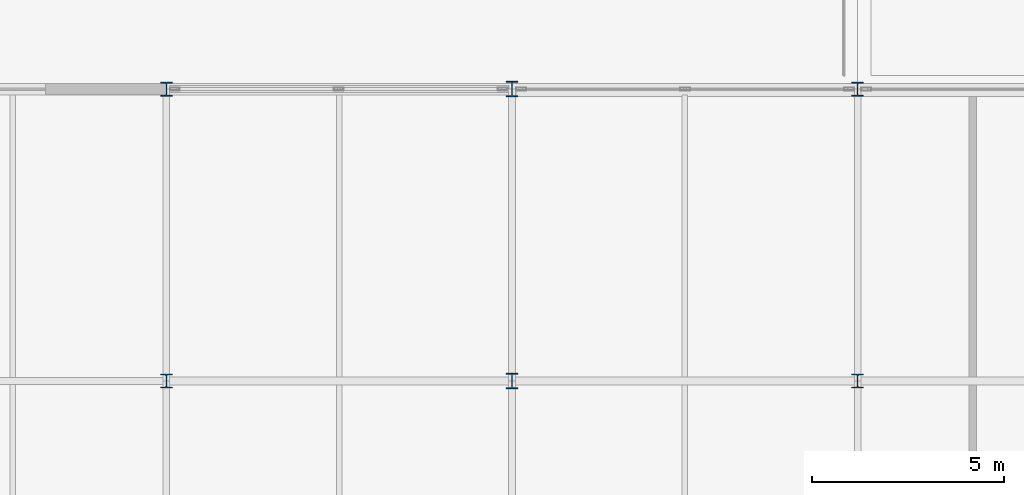
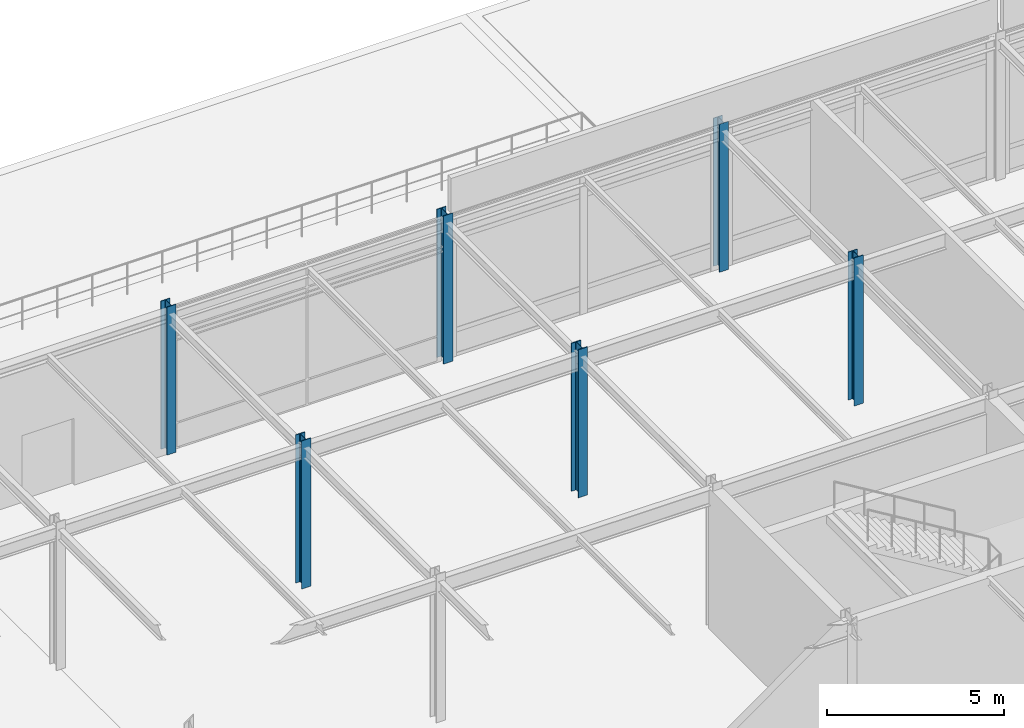
# One storey, part 11 of 79: 6 columns.
"""IFC4 building model written with IfcOpenShell, lengths in metres."""

import ifcopenshell
import ifcopenshell.guid

model = None  # the IFC model being written
_history = None  # IfcOwnerHistory: only IFC2X3 demands one
_inside = {}  # id of a spatial element -> (the spatial element, [elements in it])
_under = {}  # id of a project, library or spatial element -> (it, [spatial elements below it])
_declared = {}  # id of a project -> (the project, [libraries it declares])
_typed = {}  # id of a type object -> (the type object, [elements of that type])
_made_of = {}  # id of a material, layer set ... -> (it, [elements and type objects made of it])


def new_model(schema):
    """Start an empty IFC model of exactly this schema.

    Asked for "IFC4X3", IfcOpenShell would pick the latest addendum, in which some entities
    have other attributes; the version numbers below select the first issue.
    IFC2X3 requires an IfcOwnerHistory on every rooted entity: one is made here for all.
    """
    global model, _history
    if schema == "IFC4X3":
        model = ifcopenshell.file(schema_version=(4, 3, 0, 0))
    else:
        model = ifcopenshell.file(schema=schema)
    _inside.clear()
    _under.clear()
    _declared.clear()
    _typed.clear()
    _made_of.clear()
    _history = None
    if model.schema == "IFC2X3":
        org = make("IfcOrganization", Name="unknown")
        user = make(
            "IfcPersonAndOrganization",
            ThePerson=make("IfcPerson", FamilyName="unknown"),
            TheOrganization=org,
        )
        app = make(
            "IfcApplication",
            ApplicationDeveloper=org,
            Version="unknown",
            ApplicationFullName="unknown",
            ApplicationIdentifier="unknown",
        )
        _history = make(
            "IfcOwnerHistory",
            OwningUser=user,
            OwningApplication=app,
            ChangeAction="ADDED",
            CreationDate=0,
        )
    return model


def make(cls, **values):
    """One entity of the class cls with the attributes given. An attribute that is None is left unset."""
    return model.create_entity(
        cls, **{name: value for name, value in values.items() if value is not None}
    )


def rooted(cls, **values):
    """An entity with a GlobalId (a new one), such as an element, a storey or a relation."""
    return make(cls, GlobalId=ifcopenshell.guid.new(), OwnerHistory=_history, **values)


def si_unit(unit_type, name, prefix=None):
    """IfcSIUnit, for example si_unit("LENGTHUNIT", "METRE", prefix="MILLI")."""
    return make("IfcSIUnit", UnitType=unit_type, Prefix=prefix, Name=name)


def assignment(units):
    """IfcUnitAssignment: the units of a project."""
    return None if units is None else make("IfcUnitAssignment", Units=units)


def point(xyz):
    """IfcCartesianPoint."""
    return None if xyz is None else make("IfcCartesianPoint", Coordinates=xyz)


def direction(xyz):
    """IfcDirection."""
    return None if xyz is None else make("IfcDirection", DirectionRatios=xyz)


def frame(location, z_axis=None, x_axis=None):
    """IfcAxis2Placement3D, a coordinate frame: its origin and axes. An axis left out is left unset."""
    return make(
        "IfcAxis2Placement3D",
        Location=point(location),
        Axis=direction(z_axis),
        RefDirection=direction(x_axis),
    )


def frame_2d(location, x_axis=None):
    """IfcAxis2Placement2D, a coordinate frame in the plane: its origin and x axis."""
    return make(
        "IfcAxis2Placement2D", Location=point(location), RefDirection=direction(x_axis)
    )


def origin():
    """The frame at (0, 0, 0) with its axes left unset."""
    return frame((0.0, 0.0, 0.0))


def origin_2d():
    """The frame at (0, 0) in the plane with its x axis left unset."""
    return frame_2d((0.0, 0.0))


def place(relative_to, where):
    """IfcLocalPlacement: puts the frame where relative to a parent placement (None: the world)."""
    return make(
        "IfcLocalPlacement", PlacementRelTo=relative_to, RelativePlacement=where
    )


def context(
    kind, dimensions, precision=None, world=None, true_north=None, identifier=None
):
    """IfcGeometricRepresentationContext, for example the 3D "Model" context."""
    return make(
        "IfcGeometricRepresentationContext",
        ContextIdentifier=identifier,
        ContextType=kind,
        CoordinateSpaceDimension=dimensions,
        Precision=precision,
        WorldCoordinateSystem=world,
        TrueNorth=true_north,
    )


def subcontext(parent, identifier, kind, view, scale=None):
    """IfcGeometricRepresentationSubContext, for example "Body" below "Model"."""
    return make(
        "IfcGeometricRepresentationSubContext",
        ContextIdentifier=identifier,
        ContextType=kind,
        ParentContext=parent,
        TargetScale=scale,
        TargetView=view,
    )


def project(units=None, contexts=None):
    """IfcProject with its units and contexts."""
    return rooted(
        "IfcProject",
        Name="project",
        RepresentationContexts=contexts,
        UnitsInContext=assignment(units),
    )


def spatial(cls, under=None, at=None, **own):
    """A site, building, storey or space (cls), placed at a placement, below another one or the project."""
    s = rooted(cls, ObjectPlacement=at, **own)
    if under is not None:
        _under.setdefault(under.id(), (under, []))[1].append(s)
    return s


def profile(cls, at=None, kind="AREA", **sizes):
    """A parametric profile (cls). Its sizes go by their IFC names, for example OverallWidth=200.0."""
    return make(cls, ProfileType=kind, Position=at, **sizes)


def i_section(**sizes):
    """IfcIShapeProfileDef."""
    return profile("IfcIShapeProfileDef", **sizes)


def extrude(swept, where, along, depth):
    """IfcExtrudedAreaSolid: the profile swept, set in the frame where, extruded along a direction by depth."""
    return make(
        "IfcExtrudedAreaSolid",
        SweptArea=swept,
        Position=where,
        ExtrudedDirection=direction(along),
        Depth=depth,
    )


def shape(context_of_items, identifier, shape_type, items):
    """IfcShapeRepresentation: the items that make up one representation, for example the "Body"."""
    return make(
        "IfcShapeRepresentation",
        ContextOfItems=context_of_items,
        RepresentationIdentifier=identifier,
        RepresentationType=shape_type,
        Items=items,
    )


def material(Name=None, Category=None):
    """IfcMaterial."""
    return make("IfcMaterial", Name=Name, Category=Category)


def material_profile(
    of_material, cross_section, Name=None, Category=None, Priority=None
):
    """IfcMaterialProfile: a cross section and its material."""
    return make(
        "IfcMaterialProfile",
        Name=Name,
        Material=of_material,
        Profile=cross_section,
        Priority=Priority,
        Category=Category,
    )


def profile_set(profiles, Name=None, composite=None):
    """IfcMaterialProfileSet."""
    return make(
        "IfcMaterialProfileSet",
        Name=Name,
        MaterialProfiles=profiles,
        CompositeProfile=composite,
    )


def made_of(thing, what):
    """Note that an element or type object is made of a material, layer set ...; save() writes the relation."""
    if what is not None:
        _made_of.setdefault(what.id(), (what, []))[1].append(thing)
    return thing


def type_object(cls, material=None, **own):
    """A type object (cls), such as IfcWallType, which elements share."""
    return made_of(rooted(cls, **own), material)


def element(
    cls,
    number,
    at=None,
    inside=None,
    cuts=None,
    type_object=None,
    material=None,
    context=None,
    identifier="Body",
    shape_type=None,
    held_by="IfcProductDefinitionShape",
    body=None,
    shapes=None,
    **own,
):
    """One element of the class cls, such as IfcWall. Its Tag is "e" and its number.

    at: its placement. inside: the storey or other place that contains it. cuts: it is an
    opening in that element (IfcRelVoidsElement). A single representation is given by context,
    identifier, shape_type and body (its items); several are given by shapes. held_by: the class
    of the entity that holds the representations. save() writes the other relations.
    """
    e = rooted(cls, Tag="e%d" % number, ObjectPlacement=at, **own)
    if body is not None:
        shapes = [shape(context, identifier, shape_type, body)]
    if shapes is not None:
        e.Representation = make(held_by, Representations=shapes)
    if inside is not None:
        _inside.setdefault(inside.id(), (inside, []))[1].append(e)
    if cuts is not None:
        rooted(
            "IfcRelVoidsElement", RelatingBuildingElement=cuts, RelatedOpeningElement=e
        )
    if type_object is not None:
        _typed.setdefault(type_object.id(), (type_object, []))[1].append(e)
    return made_of(e, material)


def aggregate(whole, parts):
    """IfcRelAggregates: a whole, such as a stair, and the parts it consists of."""
    return rooted("IfcRelAggregates", RelatingObject=whole, RelatedObjects=parts)


def save(model, path):
    """Write the relations noted so far, then the file.

    IfcRelAggregates (storeys below a building ...), IfcRelContainedInSpatialStructure (elements
    in a storey), IfcRelDefinesByType, IfcRelAssociatesMaterial and IfcRelDeclares: one each for
    every whole, place, type object, material and project.
    """
    for whole, parts in _under.values():
        aggregate(whole, parts)
    for where, things in _inside.values():
        rooted(
            "IfcRelContainedInSpatialStructure",
            RelatedElements=things,
            RelatingStructure=where,
        )
    for kind, things in _typed.values():
        rooted("IfcRelDefinesByType", RelatedObjects=things, RelatingType=kind)
    for what, things in _made_of.values():
        rooted("IfcRelAssociatesMaterial", RelatedObjects=things, RelatingMaterial=what)
    for by, libraries in _declared.values():
        rooted("IfcRelDeclares", RelatingContext=by, RelatedDefinitions=libraries)
    model.write(path)


model = new_model("IFC4")

# Units and contexts
model_context = context("Model", 3, precision=1e-05, world=origin(), true_north=direction((0.0, 1.0)))
body_context = subcontext(model_context, "Body", "Model", "MODEL_VIEW")
ifc_project = project(units=[si_unit("LENGTHUNIT", "METRE"), si_unit("AREAUNIT", "SQUARE_METRE"), si_unit("VOLUMEUNIT", "CUBIC_METRE"), si_unit("PLANEANGLEUNIT", "RADIAN"), si_unit("MASSUNIT", "GRAM", prefix="KILO")], contexts=[model_context])

# Site, building, storey
site_placement = place(None, origin())
site = spatial("IfcSite", under=ifc_project, at=site_placement, CompositionType="ELEMENT")
building_placement = place(site_placement, origin())
building = spatial("IfcBuilding", under=site, at=building_placement, Name="Shalkamar Park Central Library", CompositionType="ELEMENT")
storey_placement = place(building_placement, frame((0.0, 0.0, 10.5)))
storey = spatial("IfcBuildingStorey", under=building, at=storey_placement, Name="L03", CompositionType="ELEMENT", Elevation=10.5)

# Columns
ifc_material = material(Name="Steel S355", Category="steel")
ifc_material_profile_1 = material_profile(ifc_material, i_section(OverallWidth=0.300048828125, OverallDepth=0.360107421875, WebThickness=0.012451171875, FlangeThickness=0.0224609375, FilletRadius=0.027099609375, at=origin_2d()), Name="HEB 360")
ifc_profile_set_1 = profile_set([ifc_material_profile_1], Name="Steel S355")
column_type_1 = type_object("IfcColumnType", Name="Column Steel HEB360", PredefinedType="COLUMN", material=ifc_profile_set_1)
for number, where, z_axis, x_axis, name in (
    (1, (237.0, 316.0, 0.0), (0.0, 0.0, 1.0), (1.0, 0.0, 0.0), "Column 16/L (L03)"),
    (2, (237.0, 323.60009765625, 0.0), (0.0, 0.0, 1.0), (1.0, 0.0, 0.0), "Column 16/M (L03)"),
    (3, (255.0, 316.0, 0.0), (0.0, 0.0, 1.0), (1.0, 0.0, 0.0), "Column 18/L (L03)"),
    (4, (255.0, 323.60009765625, 0.0), (0.0, 0.0, 1.0), (1.0, 0.0, 0.0), "Column 18/M (L03)"),
):
    element("IfcColumn", number, at=place(storey_placement, frame(where, z_axis=z_axis, x_axis=x_axis)), inside=storey, type_object=column_type_1, Name=name, PredefinedType="COLUMN", context=body_context, shape_type="SweptSolid", body=[
        extrude(i_section(OverallWidth=0.300048828125, OverallDepth=0.360107421875, WebThickness=0.012451171875, FlangeThickness=0.0224609375, FilletRadius=0.027099609375, at=origin_2d()), origin(), (0.0, 0.0, 1.0), 5.10009765625),
    ])
ifc_material_profile_2 = material_profile(ifc_material, i_section(OverallWidth=0.300048828125, OverallDepth=0.39990234375, WebThickness=0.013427734375, FlangeThickness=0.02392578125, FilletRadius=0.027099609375, at=origin_2d()), Name="HEB 400")
ifc_profile_set_2 = profile_set([ifc_material_profile_2], Name="Steel S355")
column_type_2 = type_object("IfcColumnType", Name="Column Steel HEB400", PredefinedType="COLUMN", material=ifc_profile_set_2)
for number, where, z_axis, x_axis, name in (
    (5, (246.0, 316.0, 0.0), (0.0, 0.0, 1.0), (1.0, 0.0, 0.0), "Column 17/L (L03)"),
    (6, (246.0, 323.60009765625, 0.0), (0.0, 0.0, 1.0), (1.0, 0.0, 0.0), "Column 17/M (L03)"),
):
    element("IfcColumn", number, at=place(storey_placement, frame(where, z_axis=z_axis, x_axis=x_axis)), inside=storey, type_object=column_type_2, Name=name, PredefinedType="COLUMN", context=body_context, shape_type="SweptSolid", body=[
        extrude(i_section(OverallWidth=0.300048828125, OverallDepth=0.39990234375, WebThickness=0.013427734375, FlangeThickness=0.02392578125, FilletRadius=0.027099609375, at=origin_2d()), origin(), (0.0, 0.0, 1.0), 5.10009765625),
    ])

save(model, "model.ifc")
